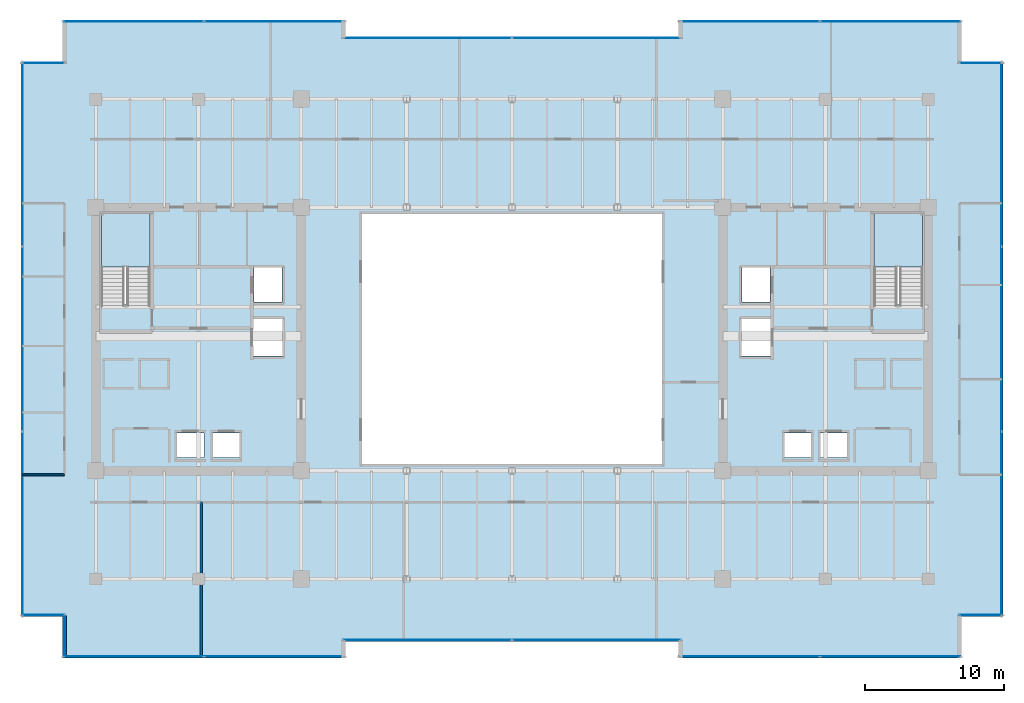
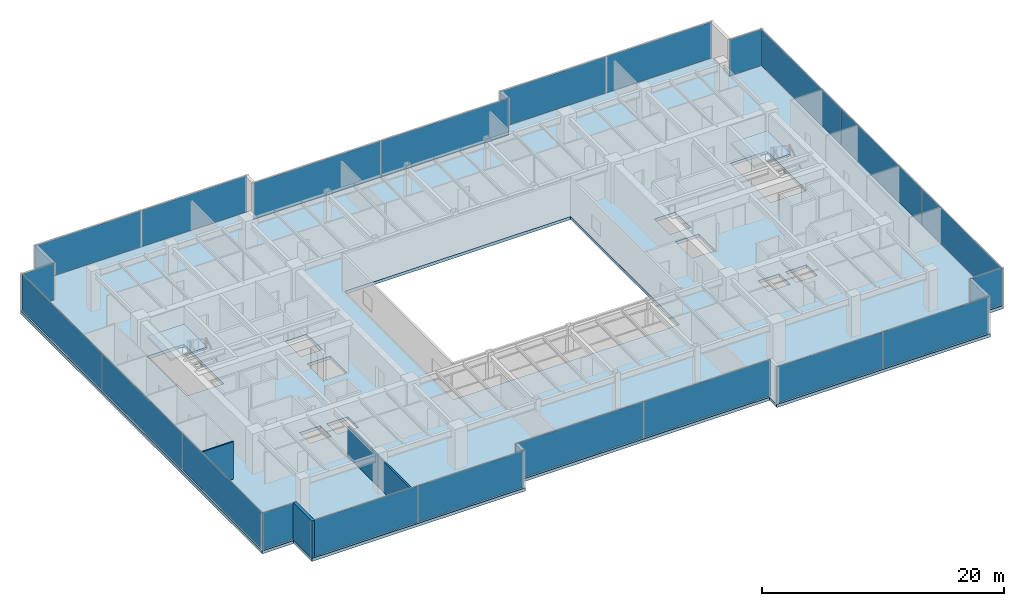
# One storey, part 24 of 31: 22 plates, 3 slabs, 3 walls, 14 elements without a shape of their own.
"""IFC4 building model written with IfcOpenShell, lengths in metres."""

from ifc_helpers import new_model, si_unit, direction, frame, frame_2d, origin, origin_2d, place, context, subcontext, project, spatial, polyline, rectangle, outline, extrude, source, transform, mapped, material, layer, layer_set, type_object, type_shapes, element, aggregate, save


model = new_model("IFC4")

# Units and contexts
model_context = context("Model", 3, precision=1e-05, world=origin(), true_north=direction((0.0, 1.0)))
body_context = subcontext(model_context, "Body", "Model", "MODEL_VIEW")
ifc_project = project(units=[si_unit("LENGTHUNIT", "METRE"), si_unit("AREAUNIT", "SQUARE_METRE"), si_unit("VOLUMEUNIT", "CUBIC_METRE"), si_unit("PLANEANGLEUNIT", "RADIAN"), si_unit("MASSUNIT", "GRAM", prefix="KILO")], contexts=[model_context])

# Site, building, storey
site_placement = place(None, origin())
site = spatial("IfcSite", under=ifc_project, at=site_placement, CompositionType="ELEMENT")
building_placement = place(site_placement, origin())
building = spatial("IfcBuilding", under=site, at=building_placement, Name="Haelvirn Gate Laboratories", CompositionType="ELEMENT")
storey_placement = place(building_placement, frame((0.0, 0.0, 150.199951171875)))
storey = spatial("IfcBuildingStorey", under=building, at=storey_placement, Name="L36", CompositionType="ELEMENT", Elevation=150.199951171875)

# Stair, slab
ifc_material_1 = material(Name="Concrete C40/50", Category="concrete")
stair_type = type_object("IfcStairType", Name="ST-DOG-1650-R22", PredefinedType="HALF_TURN_STAIR", material=ifc_material_1)
stair_1_placement = place(storey_placement, origin())
stair_1 = element("IfcStair", 1, at=stair_1_placement, inside=storey, type_object=stair_type, Name="L36 Escape Stair ST1", PredefinedType="HALF_TURN_STAIR")
ifc_layer_1 = layer(ifc_material_1, 0.199951171875, Name="SL-STAIR-LND")
ifc_layer_set_1 = layer_set([ifc_layer_1], Name="Concrete C40/50")
slab_type_1 = type_object("IfcSlabType", Name="SL-STAIR-LND", PredefinedType="LANDING", material=ifc_layer_set_1)
slab_1_placement = place(storey_placement, frame((0.0, 0.0, 1.85009765625)))
slab_1 = element("IfcSlab", 2, at=slab_1_placement, type_object=slab_type_1, Name="ST1 landing 1", PredefinedType="LANDING", context=body_context, shape_type="SweptSolid", body=[
    extrude(outline(polyline([(11.300048828125, 29.5), (11.300048828125, 33.35009765625), (7.800048828125, 33.35009765625), (7.800048828125, 29.5), (11.300048828125, 29.5)])), origin(), (0.0, 0.0, 1.0), 0.199951171875),
])
aggregate(stair_1, [slab_1])

stair_2_placement = place(storey_placement, origin())
stair_2 = element("IfcStair", 3, at=stair_2_placement, inside=storey, type_object=stair_type, Name="L36 Escape Stair ST2", PredefinedType="HALF_TURN_STAIR")
slab_2_placement = place(storey_placement, frame((0.0, 0.0, 1.85009765625)))
slab_2 = element("IfcSlab", 4, at=slab_2_placement, type_object=slab_type_1, Name="ST2 landing 1", PredefinedType="LANDING", context=body_context, shape_type="SweptSolid", body=[
    extrude(outline(polyline([(67.0, 29.5), (67.0, 33.35009765625), (63.5, 33.35009765625), (63.5, 29.5), (67.0, 29.5)])), origin(), (0.0, 0.0, 1.0), 0.199951171875),
])
aggregate(stair_2, [slab_2])

# Slab
ifc_layer_2 = layer(ifc_material_1, 0.31005859375, Name="SL-Z2-310")
ifc_layer_set_2 = layer_set([ifc_layer_2], Name="Concrete C40/50")
slab_type_2 = type_object("IfcSlabType", Name="SL-Z2-310", PredefinedType="FLOOR", material=ifc_layer_set_2)
slab_3_placement = place(storey_placement, frame((0.0, 0.0, -0.31005859375)))
element("IfcSlab", 5, at=slab_3_placement, inside=storey, type_object=slab_type_2, Name="L36 Structural Slab MAIN", PredefinedType="FLOOR", context=body_context, shape_type="SweptSolid", body=[
    extrude(outline(polyline([(5.0, 1.300048828125), (25.39990234375, 1.300048828125), (25.39990234375, 2.5), (49.39990234375, 2.5), (49.39990234375, 1.300048828125), (69.800048828125, 1.300048828125), (69.800048828125, 4.300048828125), (72.800048828125, 4.300048828125), (72.800048828125, 44.300048828125), (69.800048828125, 44.300048828125), (69.800048828125, 47.300048828125), (49.39990234375, 47.300048828125), (49.39990234375, 46.10009765625), (25.39990234375, 46.10009765625), (25.39990234375, 47.300048828125), (5.0, 47.300048828125), (5.0, 44.300048828125), (2.0, 44.300048828125), (2.0, 4.300048828125), (5.0, 4.300048828125), (5.0, 1.300048828125)]), holes=[polyline([(26.60009765625, 15.300048828125), (48.199951171875, 15.300048828125), (48.199951171875, 33.300048828125), (26.60009765625, 33.300048828125), (26.60009765625, 15.300048828125)]), polyline([(11.300048828125, 26.780029296875), (11.300048828125, 33.35009765625), (7.800048828125, 33.35009765625), (7.800048828125, 26.780029296875), (11.300048828125, 26.780029296875)]), polyline([(67.0, 26.780029296875), (67.0, 33.35009765625), (63.5, 33.35009765625), (63.5, 26.780029296875), (67.0, 26.780029296875)]), polyline([(13.18994140625, 15.77001953125), (15.2099609375, 15.77001953125), (15.2099609375, 17.510009765625), (13.18994140625, 17.510009765625), (13.18994140625, 15.77001953125)]), polyline([(15.7900390625, 15.77001953125), (17.81005859375, 15.77001953125), (17.81005859375, 17.510009765625), (15.7900390625, 17.510009765625), (15.7900390625, 15.77001953125)]), polyline([(18.7900390625, 26.969970703125), (20.81005859375, 26.969970703125), (20.81005859375, 29.510009765625), (18.7900390625, 29.510009765625), (18.7900390625, 26.969970703125)]), polyline([(18.68994140625, 23.070068359375), (20.909912109375, 23.070068359375), (20.909912109375, 25.81005859375), (18.68994140625, 25.81005859375), (18.68994140625, 23.070068359375)]), polyline([(59.590087890625, 15.77001953125), (61.610107421875, 15.77001953125), (61.610107421875, 17.510009765625), (59.590087890625, 17.510009765625), (59.590087890625, 15.77001953125)]), polyline([(56.989990234375, 15.77001953125), (59.010009765625, 15.77001953125), (59.010009765625, 17.510009765625), (56.989990234375, 17.510009765625), (56.989990234375, 15.77001953125)]), polyline([(53.989990234375, 26.969970703125), (56.010009765625, 26.969970703125), (56.010009765625, 29.510009765625), (53.989990234375, 29.510009765625), (53.989990234375, 26.969970703125)]), polyline([(53.889892578125, 23.070068359375), (56.110107421875, 23.070068359375), (56.110107421875, 25.81005859375), (53.889892578125, 25.81005859375), (53.889892578125, 23.070068359375)])]), origin(), (0.0, 0.0, 1.0), 0.31005859375),
])

# Curtain wall, plates
ifc_material_2 = material(Name="Anodised bronze unitised aluminium & triple low-E glass", Category="aluminium")
ifc_layer_3 = layer(ifc_material_2, 0.179931640625, Name="CW-SYS-3")
ifc_layer_set_3 = layer_set([ifc_layer_3], Name="Anodised bronze unitised aluminium & triple low-E glass")
curtain_wall_type_1 = type_object("IfcCurtainWallType", Name="CW-SYS-3", PredefinedType="NOTDEFINED", material=ifc_layer_set_3)
curtain_wall_1_placement = place(storey_placement, origin())
curtain_wall_1 = element("IfcCurtainWall", 6, at=curtain_wall_1_placement, inside=storey, type_object=curtain_wall_type_1, Name="L36 Unitised Curtain Wall CW-L36-P0-E00-1", PredefinedType="NOTDEFINED")
ifc_material_3 = material(Name="High-selectivity bronze triple IGU 40 mm", Category="glass")
ifc_layer_4 = layer(ifc_material_3, 0.0400390625, Name="CWP-IGU-40")
ifc_layer_set_4 = layer_set([ifc_layer_4], Name="High-selectivity bronze triple IGU 40 mm")
plate_type_1 = type_object("IfcPlateType", Name="CWP-IGU-40", PredefinedType="CURTAIN_PANEL", material=ifc_layer_set_4)
shared_shape_1 = source(origin(), body_context, "Body", "SweptSolid", [
    extrude(rectangle(XDim=10.08740234375, YDim=0.0400390625, at=origin_2d()), origin(), (0.0, 0.0, 1.0), 3.659912109375),
])
plate_1_placement = place(storey_placement, frame((10.11865234375, 1.39990234375, 0.06494140625), z_axis=(0.0, 0.0, 1.0), x_axis=(1.0, 0.0, 0.0)))
plate_1 = element("IfcPlate", 7, at=plate_1_placement, type_object=plate_type_1, Name="CW3 panel 1.1", PredefinedType="CURTAIN_PANEL", context=body_context, shape_type="MappedRepresentation", body=[
    mapped(shared_shape_1, transform((0.0, 0.0, 0.0), scale=1.0)),
])
plate_2_placement = place(storey_placement, frame((20.28125, 1.39990234375, 0.06494140625), z_axis=(0.0, 0.0, 1.0), x_axis=(1.0, 0.0, 0.0)))
plate_2 = element("IfcPlate", 8, at=plate_2_placement, type_object=plate_type_1, Name="CW3 panel 2.1", PredefinedType="CURTAIN_PANEL", context=body_context, shape_type="MappedRepresentation", body=[
    mapped(shared_shape_1, transform((0.0, 0.0, 0.0), scale=1.0)),
])
aggregate(curtain_wall_1, [plate_1, plate_2])

curtain_wall_2_placement = place(storey_placement, origin())
curtain_wall_2 = element("IfcCurtainWall", 9, at=curtain_wall_2_placement, inside=storey, type_object=curtain_wall_type_1, Name="L36 Unitised Curtain Wall CW-L36-P0-E04-1", PredefinedType="NOTDEFINED")
plate_3_placement = place(storey_placement, frame((54.518798828125, 1.39990234375, 0.06494140625), z_axis=(0.0, 0.0, 1.0), x_axis=(1.0, 0.0, 0.0)))
plate_3 = element("IfcPlate", 10, at=plate_3_placement, type_object=plate_type_1, Name="CW3 panel 1.1", PredefinedType="CURTAIN_PANEL", context=body_context, shape_type="MappedRepresentation", body=[
    mapped(shared_shape_1, transform((0.0, 0.0, 0.0), scale=1.0)),
])
plate_4_placement = place(storey_placement, frame((64.68115234375, 1.39990234375, 0.06494140625), z_axis=(0.0, 0.0, 1.0), x_axis=(1.0, 0.0, 0.0)))
plate_4 = element("IfcPlate", 11, at=plate_4_placement, type_object=plate_type_1, Name="CW3 panel 2.1", PredefinedType="CURTAIN_PANEL", context=body_context, shape_type="MappedRepresentation", body=[
    mapped(shared_shape_1, transform((0.0, 0.0, 0.0), scale=1.0)),
])
aggregate(curtain_wall_2, [plate_3, plate_4])

curtain_wall_3_placement = place(storey_placement, origin())
curtain_wall_3 = element("IfcCurtainWall", 12, at=curtain_wall_3_placement, inside=storey, type_object=curtain_wall_type_1, Name="L36 Unitised Curtain Wall CW-L36-P0-E10-1", PredefinedType="NOTDEFINED")
plate_5_placement = place(storey_placement, frame((54.518798828125, 47.199951171875, 0.06494140625), z_axis=(0.0, 0.0, 1.0), x_axis=(1.0, 0.0, 0.0)))
plate_5 = element("IfcPlate", 13, at=plate_5_placement, type_object=plate_type_1, Name="CW3 panel 1.1", PredefinedType="CURTAIN_PANEL", context=body_context, shape_type="MappedRepresentation", body=[
    mapped(shared_shape_1, transform((0.0, 0.0, 0.0), scale=1.0)),
])
plate_6_placement = place(storey_placement, frame((64.68115234375, 47.199951171875, 0.06494140625), z_axis=(0.0, 0.0, 1.0), x_axis=(1.0, 0.0, 0.0)))
plate_6 = element("IfcPlate", 14, at=plate_6_placement, type_object=plate_type_1, Name="CW3 panel 2.1", PredefinedType="CURTAIN_PANEL", context=body_context, shape_type="MappedRepresentation", body=[
    mapped(shared_shape_1, transform((0.0, 0.0, 0.0), scale=1.0)),
])
aggregate(curtain_wall_3, [plate_5, plate_6])

curtain_wall_4_placement = place(storey_placement, origin())
curtain_wall_4 = element("IfcCurtainWall", 15, at=curtain_wall_4_placement, inside=storey, type_object=curtain_wall_type_1, Name="L36 Unitised Curtain Wall CW-L36-P0-E14-1", PredefinedType="NOTDEFINED")
plate_7_placement = place(storey_placement, frame((10.11865234375, 47.199951171875, 0.06494140625), z_axis=(0.0, 0.0, 1.0), x_axis=(1.0, 0.0, 0.0)))
plate_7 = element("IfcPlate", 16, at=plate_7_placement, type_object=plate_type_1, Name="CW3 panel 1.1", PredefinedType="CURTAIN_PANEL", context=body_context, shape_type="MappedRepresentation", body=[
    mapped(shared_shape_1, transform((0.0, 0.0, 0.0), scale=1.0)),
])
plate_8_placement = place(storey_placement, frame((20.28125, 47.199951171875, 0.06494140625), z_axis=(0.0, 0.0, 1.0), x_axis=(1.0, 0.0, 0.0)))
plate_8 = element("IfcPlate", 17, at=plate_8_placement, type_object=plate_type_1, Name="CW3 panel 2.1", PredefinedType="CURTAIN_PANEL", context=body_context, shape_type="MappedRepresentation", body=[
    mapped(shared_shape_1, transform((0.0, 0.0, 0.0), scale=1.0)),
])
aggregate(curtain_wall_4, [plate_7, plate_8])

curtain_wall_5_placement = place(storey_placement, origin())
curtain_wall_5 = element("IfcCurtainWall", 18, at=curtain_wall_5_placement, inside=storey, type_object=curtain_wall_type_1, Name="L36 Unitised Curtain Wall CW-L36-P0-E02-1", PredefinedType="NOTDEFINED")
shared_shape_2 = source(origin(), body_context, "Body", "SweptSolid", [
    extrude(rectangle(XDim=12.12744140625, YDim=0.0400390625, at=origin_2d()), origin(), (0.0, 0.0, 1.0), 3.659912109375),
])
plate_9_placement = place(storey_placement, frame((31.298828125, 2.60009765625, 0.06494140625), z_axis=(0.0, 0.0, 1.0), x_axis=(1.0, 0.0, 0.0)))
plate_9 = element("IfcPlate", 19, at=plate_9_placement, type_object=plate_type_1, Name="CW3 panel 1.1", PredefinedType="CURTAIN_PANEL", context=body_context, shape_type="MappedRepresentation", body=[
    mapped(shared_shape_2, transform((0.0, 0.0, 0.0), scale=1.0)),
])
plate_10_placement = place(storey_placement, frame((43.501220703125, 2.60009765625, 0.06494140625), z_axis=(0.0, 0.0, 1.0), x_axis=(1.0, 0.0, 0.0)))
plate_10 = element("IfcPlate", 20, at=plate_10_placement, type_object=plate_type_1, Name="CW3 panel 2.1", PredefinedType="CURTAIN_PANEL", context=body_context, shape_type="MappedRepresentation", body=[
    mapped(shared_shape_2, transform((0.0, 0.0, 0.0), scale=1.0)),
])
aggregate(curtain_wall_5, [plate_9, plate_10])

curtain_wall_6_placement = place(storey_placement, origin())
curtain_wall_6 = element("IfcCurtainWall", 21, at=curtain_wall_6_placement, inside=storey, type_object=curtain_wall_type_1, Name="L36 Unitised Curtain Wall CW-L36-P0-E12-1", PredefinedType="NOTDEFINED")
plate_11_placement = place(storey_placement, frame((31.298828125, 46.0, 0.06494140625), z_axis=(0.0, 0.0, 1.0), x_axis=(1.0, 0.0, 0.0)))
plate_11 = element("IfcPlate", 22, at=plate_11_placement, type_object=plate_type_1, Name="CW3 panel 1.1", PredefinedType="CURTAIN_PANEL", context=body_context, shape_type="MappedRepresentation", body=[
    mapped(shared_shape_2, transform((0.0, 0.0, 0.0), scale=1.0)),
])
plate_12_placement = place(storey_placement, frame((43.501220703125, 46.0, 0.06494140625), z_axis=(0.0, 0.0, 1.0), x_axis=(1.0, 0.0, 0.0)))
plate_12 = element("IfcPlate", 23, at=plate_12_placement, type_object=plate_type_1, Name="CW3 panel 2.1", PredefinedType="CURTAIN_PANEL", context=body_context, shape_type="MappedRepresentation", body=[
    mapped(shared_shape_2, transform((0.0, 0.0, 0.0), scale=1.0)),
])
aggregate(curtain_wall_6, [plate_11, plate_12])

# Curtain wall, plate
ifc_layer_5 = layer(ifc_material_2, 0.181884765625, Name="CW-SYS-5")
ifc_layer_set_5 = layer_set([ifc_layer_5], Name="Anodised bronze unitised aluminium & triple low-E glass")
curtain_wall_type_2 = type_object("IfcCurtainWallType", Name="CW-SYS-5", PredefinedType="NOTDEFINED", material=ifc_layer_set_5)
curtain_wall_7_placement = place(storey_placement, origin())
curtain_wall_7 = element("IfcCurtainWall", 24, at=curtain_wall_7_placement, inside=storey, type_object=curtain_wall_type_2, Name="L36 Unitised Curtain Wall CW-L36-P0-E06-1", PredefinedType="NOTDEFINED")
ifc_material_4 = material(Name="Clear low-iron notched-corner triple IGU 42 mm", Category="glass")
ifc_layer_6 = layer(ifc_material_4, 0.0419921875, Name="CWP-NTC-42")
ifc_layer_set_6 = layer_set([ifc_layer_6], Name="Clear low-iron notched-corner triple IGU 42 mm")
plate_type_2 = type_object("IfcPlateType", Name="CWP-NTC-42", PredefinedType="CURTAIN_PANEL", material=ifc_layer_set_6)
shared_shape_3 = source(origin(), body_context, "Body", "SweptSolid", [
    extrude(rectangle(XDim=3.080078125, YDim=0.0419921875, at=origin_2d()), origin(), (0.0, 0.0, 1.0), 3.659912109375),
])
type_shapes(plate_type_2, [shared_shape_3])
plate_13_placement = place(storey_placement, frame((71.179931640625, 4.39990234375, 0.06494140625), z_axis=(0.0, 0.0, 1.0), x_axis=(1.0, 0.0, 0.0)))
plate_13 = element("IfcPlate", 25, at=plate_13_placement, type_object=plate_type_2, Name="CW5 panel 1.1", PredefinedType="CURTAIN_PANEL", context=body_context, shape_type="MappedRepresentation", body=[
    mapped(shared_shape_3, transform((0.0, 0.0, 0.0), scale=1.0)),
])
aggregate(curtain_wall_7, [plate_13])

curtain_wall_8_placement = place(storey_placement, origin())
curtain_wall_8 = element("IfcCurtainWall", 26, at=curtain_wall_8_placement, inside=storey, type_object=curtain_wall_type_2, Name="L36 Unitised Curtain Wall CW-L36-P0-E08-1", PredefinedType="NOTDEFINED")
plate_14_placement = place(storey_placement, frame((71.179931640625, 44.199951171875, 0.06494140625), z_axis=(0.0, 0.0, 1.0), x_axis=(1.0, 0.0, 0.0)))
plate_14 = element("IfcPlate", 27, at=plate_14_placement, type_object=plate_type_2, Name="CW5 panel 1.1", PredefinedType="CURTAIN_PANEL", context=body_context, shape_type="MappedRepresentation", body=[
    mapped(shared_shape_3, transform((0.0, 0.0, 0.0), scale=1.0)),
])
aggregate(curtain_wall_8, [plate_14])

curtain_wall_9_placement = place(storey_placement, origin())
curtain_wall_9 = element("IfcCurtainWall", 28, at=curtain_wall_9_placement, inside=storey, type_object=curtain_wall_type_2, Name="L36 Unitised Curtain Wall CW-L36-P0-E16-1", PredefinedType="NOTDEFINED")
plate_15_placement = place(storey_placement, frame((3.6201171875, 44.199951171875, 0.06494140625), z_axis=(0.0, 0.0, 1.0), x_axis=(1.0, 0.0, 0.0)))
plate_15 = element("IfcPlate", 29, at=plate_15_placement, type_object=plate_type_2, Name="CW5 panel 1.1", PredefinedType="CURTAIN_PANEL", context=body_context, shape_type="MappedRepresentation", body=[
    mapped(shared_shape_3, transform((0.0, 0.0, 0.0), scale=1.0)),
])
aggregate(curtain_wall_9, [plate_15])

curtain_wall_10_placement = place(storey_placement, origin())
curtain_wall_10 = element("IfcCurtainWall", 30, at=curtain_wall_10_placement, inside=storey, type_object=curtain_wall_type_2, Name="L36 Unitised Curtain Wall CW-L36-P0-E18-1", PredefinedType="NOTDEFINED")
plate_16_placement = place(storey_placement, frame((3.6201171875, 4.39990234375, 0.06494140625), z_axis=(0.0, 0.0, 1.0), x_axis=(1.0, 0.0, 0.0)))
plate_16 = element("IfcPlate", 31, at=plate_16_placement, type_object=plate_type_2, Name="CW5 panel 1.1", PredefinedType="CURTAIN_PANEL", context=body_context, shape_type="MappedRepresentation", body=[
    mapped(shared_shape_3, transform((0.0, 0.0, 0.0), scale=1.0)),
])
aggregate(curtain_wall_10, [plate_16])

# Curtain wall, plates
curtain_wall_11_placement = place(storey_placement, origin())
curtain_wall_11 = element("IfcCurtainWall", 32, at=curtain_wall_11_placement, inside=storey, type_object=curtain_wall_type_1, Name="L36 Unitised Curtain Wall CW-L36-P0-E07", PredefinedType="NOTDEFINED")
shared_shape_4 = source(origin(), body_context, "Body", "SweptSolid", [
    extrude(rectangle(XDim=13.220947265625, YDim=0.0400390625, at=origin_2d()), origin(), (0.0, 0.0, 1.0), 3.659912109375),
])
plate_17_placement = place(storey_placement, frame((72.699951171875, 10.9853515625, 0.06494140625), z_axis=(0.0, 0.0, 1.0), x_axis=(0.0, 1.0, 0.0)))
plate_17 = element("IfcPlate", 33, at=plate_17_placement, type_object=plate_type_1, Name="CW3 panel 1.1", PredefinedType="CURTAIN_PANEL", context=body_context, shape_type="MappedRepresentation", body=[
    mapped(shared_shape_4, transform((0.0, 0.0, 0.0), scale=1.0)),
])
plate_18_placement = place(storey_placement, frame((72.699951171875, 37.614501953125, 0.06494140625), z_axis=(0.0, 0.0, 1.0), x_axis=(0.0, 1.0, 0.0)))
plate_18 = element("IfcPlate", 34, at=plate_18_placement, type_object=plate_type_1, Name="CW3 panel 3.1", PredefinedType="CURTAIN_PANEL", context=body_context, shape_type="MappedRepresentation", body=[
    mapped(shared_shape_4, transform((0.0, 0.0, 0.0), scale=1.0)),
])

curtain_wall_12_placement = place(storey_placement, origin())
curtain_wall_12 = element("IfcCurtainWall", 35, at=curtain_wall_12_placement, inside=storey, type_object=curtain_wall_type_1, Name="L36 Unitised Curtain Wall CW-L36-P0-E17", PredefinedType="NOTDEFINED")
plate_19_placement = place(storey_placement, frame((2.10009765625, 37.614501953125, 0.06494140625), z_axis=(0.0, 0.0, 1.0), x_axis=(0.0, -1.0, 0.0)))
plate_19 = element("IfcPlate", 36, at=plate_19_placement, type_object=plate_type_1, Name="CW3 panel 1.1", PredefinedType="CURTAIN_PANEL", context=body_context, shape_type="MappedRepresentation", body=[
    mapped(shared_shape_4, transform((0.0, 0.0, 0.0), scale=1.0)),
])
plate_20_placement = place(storey_placement, frame((2.10009765625, 10.9853515625, 0.06494140625), z_axis=(0.0, 0.0, 1.0), x_axis=(0.0, -1.0, 0.0)))
plate_20 = element("IfcPlate", 37, at=plate_20_placement, type_object=plate_type_1, Name="CW3 panel 3.1", PredefinedType="CURTAIN_PANEL", context=body_context, shape_type="MappedRepresentation", body=[
    mapped(shared_shape_4, transform((0.0, 0.0, 0.0), scale=1.0)),
])

# Plate
shared_shape_5 = source(origin(), body_context, "Body", "SweptSolid", [
    extrude(rectangle(XDim=13.25830078125, YDim=0.0400390625, at=origin_2d()), origin(), (0.0, 0.0, 1.0), 3.659912109375),
])
type_shapes(plate_type_1, [shared_shape_1, shared_shape_2, shared_shape_4, shared_shape_5])
plate_21_placement = place(storey_placement, frame((72.699951171875, 24.300048828125, 0.06494140625), z_axis=(0.0, 0.0, 1.0), x_axis=(0.0, 1.0, 0.0)))
plate_21 = element("IfcPlate", 38, at=plate_21_placement, type_object=plate_type_1, Name="CW3 panel 2.1", PredefinedType="CURTAIN_PANEL", context=body_context, shape_type="MappedRepresentation", body=[
    mapped(shared_shape_5, transform((0.0, 0.0, 0.0), scale=1.0)),
])

aggregate(curtain_wall_11, [plate_17, plate_21, plate_18])

plate_22_placement = place(storey_placement, frame((2.10009765625, 24.300048828125, 0.06494140625), z_axis=(0.0, 0.0, 1.0), x_axis=(0.0, -1.0, 0.0)))
plate_22 = element("IfcPlate", 39, at=plate_22_placement, type_object=plate_type_1, Name="CW3 panel 2.1", PredefinedType="CURTAIN_PANEL", context=body_context, shape_type="MappedRepresentation", body=[
    mapped(shared_shape_5, transform((0.0, 0.0, 0.0), scale=1.0)),
])

aggregate(curtain_wall_12, [plate_19, plate_22, plate_20])

# Walls
ifc_material_5 = material(Name="Thermally-broken bronze aluminium rainscreen & mineral wool", Category="aluminium")
ifc_layer_7 = layer(ifc_material_5, 0.280029296875, Name="EW-TERR-280")
ifc_layer_set_7 = layer_set([ifc_layer_7], Name="Thermally-broken bronze aluminium rainscreen & mineral wool")
wall_type_1 = type_object("IfcWallType", Name="EW-TERR-280", PredefinedType="STANDARD", material=ifc_layer_set_7)
wall_1_placement = place(storey_placement, frame((5.139892578125, 4.387939453125, 0.0), z_axis=(0.0, 0.0, 1.0), x_axis=(0.0, -1.0, 0.0)))
element("IfcWall", 40, at=wall_1_placement, inside=storey, type_object=wall_type_1, Name="L36 Atrium Recess Bronze Return Wall 19", PredefinedType="STANDARD", context=body_context, shape_type="SweptSolid", body=[
    extrude(rectangle(XDim=3.087890625, YDim=0.280029296875, at=frame_2d((1.5439453125, 0.0))), origin(), (0.0, 0.0, 1.0), 3.7900390625),
])
ifc_material_6 = material(Name="Double-layer acoustic gypsum laboratory partition", Category="gypsum")
ifc_layer_8 = layer(ifc_material_6, 0.159912109375, Name="IW-ACOUST-160")
ifc_layer_set_8 = layer_set([ifc_layer_8], Name="Double-layer acoustic gypsum laboratory partition")
wall_type_2 = type_object("IfcWallType", Name="IW-ACOUST-160", PredefinedType="PARTITIONING", material=ifc_layer_set_8)
wall_2_placement = place(storey_placement, frame((15.0, 1.409912109375, 0.0), z_axis=(0.0, 0.0, 1.0), x_axis=(0.0, 1.0, 0.0)))
element("IfcWall", 41, at=wall_2_placement, inside=storey, type_object=wall_type_2, Name="L36 Interior Wall IW-L36-SDIV-01", PredefinedType="PARTITIONING", context=body_context, shape_type="SweptSolid", body=[
    extrude(rectangle(XDim=11.130126953125, YDim=0.159912109375, at=frame_2d((5.56494140625, 0.0))), origin(), (0.0, 0.0, 1.0), 3.074951171875),
])
ifc_material_7 = material(Name="Lightweight acoustic gypsum board partition", Category="gypsum")
ifc_layer_9 = layer(ifc_material_7, 0.1201171875, Name="IW-PART-120")
ifc_layer_set_9 = layer_set([ifc_layer_9], Name="Lightweight acoustic gypsum board partition")
wall_type_3 = type_object("IfcWallType", Name="IW-PART-120", PredefinedType="PARTITIONING", material=ifc_layer_set_9)
wall_3_placement = place(storey_placement, frame((2.110107421875, 14.514892578125, 0.0), z_axis=(0.0, 0.0, 1.0), x_axis=(1.0, 0.0, 0.0)))
element("IfcWall", 42, at=wall_3_placement, inside=storey, type_object=wall_type_3, Name="L36 Interior Wall IW-L36-WCAP-S", PredefinedType="PARTITIONING", context=body_context, shape_type="SweptSolid", body=[
    extrude(rectangle(XDim=3.019775390625, YDim=0.1201171875, at=frame_2d((1.509765625, 0.0))), origin(), (0.0, 0.0, 1.0), 3.7900390625),
])

save(model, "model.ifc")
